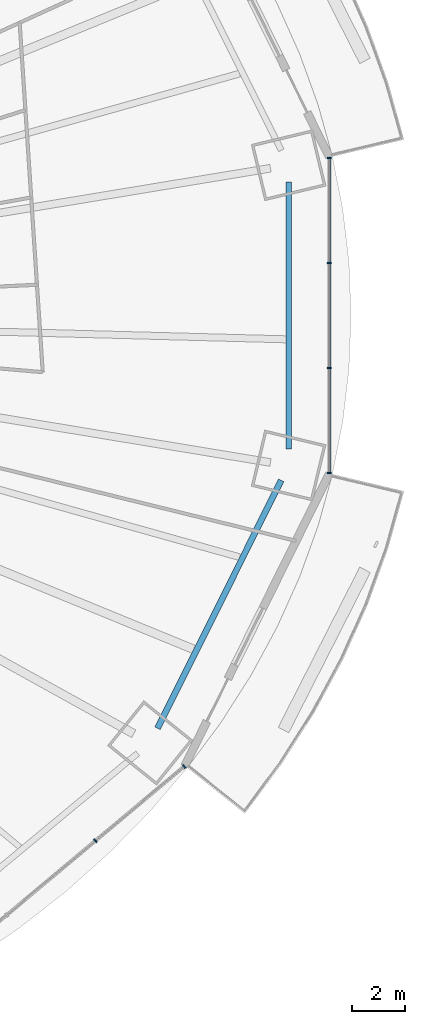
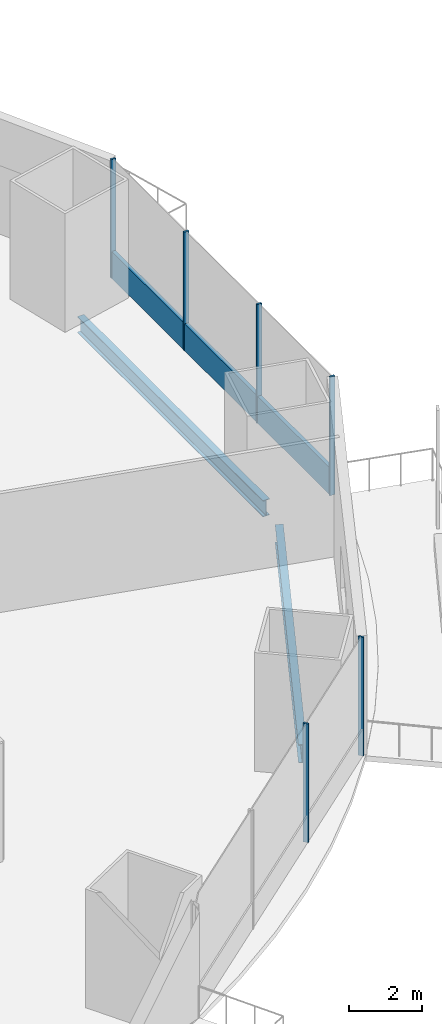
# One storey, part 11 of 23: 7 members, 2 beams, 2 elements without a shape of their own.
"""IFC4 building model written with IfcOpenShell, lengths in metres."""

from ifc_helpers import new_model, si_unit, direction, frame, origin, origin_2d, place, context, subcontext, project, spatial, rectangle, i_section, extrude, material, material_profile, profile_set, type_object, element, aggregate, save


model = new_model("IFC4")

# Units and contexts
model_context = context("Model", 3, precision=1e-05, world=origin(), true_north=direction((0.0, 1.0)))
body_context = subcontext(model_context, "Body", "Model", "MODEL_VIEW")
ifc_project = project(units=[si_unit("LENGTHUNIT", "METRE"), si_unit("AREAUNIT", "SQUARE_METRE"), si_unit("VOLUMEUNIT", "CUBIC_METRE"), si_unit("PLANEANGLEUNIT", "RADIAN"), si_unit("MASSUNIT", "GRAM", prefix="KILO")], contexts=[model_context])

# Site, building, storey
site_placement = place(None, origin())
site = spatial("IfcSite", under=ifc_project, at=site_placement, CompositionType="ELEMENT")
building_placement = place(site_placement, origin())
building = spatial("IfcBuilding", under=site, at=building_placement, Name="Marenthal Gate Tower", CompositionType="ELEMENT")
storey_placement = place(building_placement, frame((0.0, 0.0, 37.14990234375)))
storey = spatial("IfcBuildingStorey", under=building, at=storey_placement, Name="L05", CompositionType="ELEMENT", Elevation=37.14990234375)

# Curtain wall, members
ifc_material_1 = material(Name="Aluminium and glass", Category="aluminium")
curtain_wall_type = type_object("IfcCurtainWallType", Name="Curtain wall typical low", PredefinedType="NOTDEFINED", material=ifc_material_1)
curtain_wall_1_placement = place(storey_placement, origin())
curtain_wall_1 = element("IfcCurtainWall", 1, at=curtain_wall_1_placement, inside=storey, type_object=curtain_wall_type, Name="Curtain wall L05 bay 14", PredefinedType="NOTDEFINED")
ifc_material_2 = material(Name="Aluminium", Category="aluminium")
ifc_material_profile_1 = material_profile(ifc_material_2, rectangle(XDim=0.159912109375, YDim=0.06005859375, at=origin_2d()), Name="60x160 aluminium mullion")
ifc_profile_set_1 = profile_set([ifc_material_profile_1], Name="Aluminium")
member_type_1 = type_object("IfcMemberType", Name="Mullion 60x160 typical low", PredefinedType="MULLION", material=ifc_profile_set_1)
member_1_placement = place(storey_placement, frame((27.26513671875, -20.00244140625, 0.0), z_axis=(0.0, 0.0, 1.0), x_axis=(-0.641982192245, 0.76671954771, 0.0)))
member_1 = element("IfcMember", 2, at=member_1_placement, type_object=member_type_1, Name="Mullion L05 bay 14.3", PredefinedType="MULLION", context=body_context, shape_type="SweptSolid", body=[
    extrude(rectangle(XDim=0.159912109375, YDim=0.06005859375, at=origin_2d()), origin(), (0.0, 0.0, 1.0), 3.97021484375),
])
member_2_placement = place(storey_placement, frame((30.6416015625, -17.17529296875, 0.0), z_axis=(0.0, 0.0, 1.0), x_axis=(-0.641982192245, 0.76671954771, 0.0)))
member_2 = element("IfcMember", 3, at=member_2_placement, type_object=member_type_1, Name="Mullion L05 bay 14.4", PredefinedType="MULLION", context=body_context, shape_type="SweptSolid", body=[
    extrude(rectangle(XDim=0.159912109375, YDim=0.06005859375, at=origin_2d()), origin(), (0.0, 0.0, 1.0), 3.97021484375),
])
aggregate(curtain_wall_1, [member_1, member_2])

curtain_wall_2_placement = place(storey_placement, origin())
curtain_wall_2 = element("IfcCurtainWall", 4, at=curtain_wall_2_placement, inside=storey, type_object=curtain_wall_type, Name="Curtain wall L05 bay 16", PredefinedType="NOTDEFINED")
member_3_placement = place(storey_placement, frame((36.17138671875, -5.994384765625, 0.0), z_axis=(0.0, 0.0, 1.0), x_axis=(-1.0, 0.0, 0.0)))
member_3 = element("IfcMember", 5, at=member_3_placement, type_object=member_type_1, Name="Mullion L05 bay 16.1", PredefinedType="MULLION", context=body_context, shape_type="SweptSolid", body=[
    extrude(rectangle(XDim=0.159912109375, YDim=0.06005859375, at=origin_2d()), origin(), (0.0, 0.0, 1.0), 3.97021484375),
])
member_4_placement = place(storey_placement, frame((36.17138671875, -1.998046875, 0.0), z_axis=(0.0, 0.0, 1.0), x_axis=(-1.0, 0.0, 0.0)))
member_4 = element("IfcMember", 6, at=member_4_placement, type_object=member_type_1, Name="Mullion L05 bay 16.2", PredefinedType="MULLION", context=body_context, shape_type="SweptSolid", body=[
    extrude(rectangle(XDim=0.159912109375, YDim=0.06005859375, at=origin_2d()), origin(), (0.0, 0.0, 1.0), 3.97021484375),
])
member_5_placement = place(storey_placement, frame((36.17138671875, 1.998046875, 0.0), z_axis=(0.0, 0.0, 1.0), x_axis=(-1.0, 0.0, 0.0)))
member_5 = element("IfcMember", 7, at=member_5_placement, type_object=member_type_1, Name="Mullion L05 bay 16.3", PredefinedType="MULLION", context=body_context, shape_type="SweptSolid", body=[
    extrude(rectangle(XDim=0.159912109375, YDim=0.06005859375, at=origin_2d()), origin(), (0.0, 0.0, 1.0), 3.97021484375),
])
member_6_placement = place(storey_placement, frame((36.17138671875, 5.994384765625, 0.0), z_axis=(0.0, 0.0, 1.0), x_axis=(-1.0, 0.0, 0.0)))
member_6 = element("IfcMember", 8, at=member_6_placement, type_object=member_type_1, Name="Mullion L05 bay 16.4", PredefinedType="MULLION", context=body_context, shape_type="SweptSolid", body=[
    extrude(rectangle(XDim=0.159912109375, YDim=0.06005859375, at=origin_2d()), origin(), (0.0, 0.0, 1.0), 3.97021484375),
])
ifc_material_3 = material(Name="Aluminium", Category="aluminium")
ifc_material_profile_2 = material_profile(ifc_material_3, rectangle(XDim=0.1201171875, YDim=0.89990234375, at=origin_2d()), Name="120x900 aluminium transom")
ifc_profile_set_2 = profile_set([ifc_material_profile_2], Name="Aluminium")
member_type_2 = type_object("IfcMemberType", Name="Transom 120x900 typical low", PredefinedType="USERDEFINED", material=ifc_profile_set_2)
member_7_placement = place(storey_placement, frame((36.17138671875, -5.96435546875, 0.4501953125), z_axis=(0.0, 1.0, 0.0), x_axis=(-1.0, 0.0, 0.0)))
member_7 = element("IfcMember", 9, at=member_7_placement, type_object=member_type_2, Name="Transom L05 bay 16", ObjectType="TRANSOM", PredefinedType="USERDEFINED", context=body_context, shape_type="SweptSolid", body=[
    extrude(rectangle(XDim=0.1201171875, YDim=0.89990234375, at=origin_2d()), origin(), (0.0, 0.0, 1.0), 11.9287109375),
])
aggregate(curtain_wall_2, [member_3, member_4, member_5, member_6, member_7])

# Beams
ifc_material_4 = material(Name="Steel S355", Category="steel")
ifc_material_profile_3 = material_profile(ifc_material_4, i_section(OverallWidth=0.2119140625, OverallDepth=0.5439453125, WebThickness=0.01318359375, FlangeThickness=0.021240234375, FilletRadius=0.0126953125, at=origin_2d()), Name="W530X123")
ifc_profile_set_3 = profile_set([ifc_material_profile_3], Name="Steel S355")
beam_type_1 = type_object("IfcBeamType", Name="W530X123 beam", PredefinedType="BEAM", material=ifc_profile_set_3)
beam_1_placement = place(storey_placement, frame((34.62158203125, -5.0849609375, -0.451904296875), z_axis=(0.0, 1.0, 0.0), x_axis=(-1.0, 0.0, 0.0)))
element("IfcBeam", 10, at=beam_1_placement, inside=storey, type_object=beam_type_1, Name="BM-L05-56", PredefinedType="BEAM", context=body_context, shape_type="SweptSolid", body=[
    extrude(i_section(OverallWidth=0.2119140625, OverallDepth=0.5439453125, WebThickness=0.01318359375, FlangeThickness=0.021240234375, FilletRadius=0.0126953125, at=origin_2d()), origin(), (0.0, 0.0, 1.0), 10.169921875),
])
ifc_material_5 = material(Name="Steel S355", Category="steel")
ifc_material_profile_4 = material_profile(ifc_material_5, i_section(OverallWidth=0.22900390625, OverallDepth=0.612060546875, WebThickness=0.011962890625, FlangeThickness=0.01953125, FilletRadius=0.0126953125, at=origin_2d()), Name="W610X125")
ifc_profile_set_4 = profile_set([ifc_material_profile_4], Name="Steel S355")
beam_type_2 = type_object("IfcBeamType", Name="W610X125 beam", PredefinedType="BEAM", material=ifc_profile_set_4)
beam_2_placement = place(storey_placement, frame((29.63037109375, -15.71826171875, -0.48583984375), z_axis=(0.446519173672, 0.894774065082, 0.0), x_axis=(-0.894774065082, 0.446519173672, 0.0)))
element("IfcBeam", 11, at=beam_2_placement, inside=storey, type_object=beam_type_2, Name="BM-L05-55", PredefinedType="BEAM", context=body_context, shape_type="SweptSolid", body=[
    extrude(i_section(OverallWidth=0.22900390625, OverallDepth=0.612060546875, WebThickness=0.011962890625, FlangeThickness=0.01953125, FilletRadius=0.0126953125, at=origin_2d()), origin(), (0.0, 0.0, 1.0), 10.54931640625),
])

save(model, "model.ifc")
